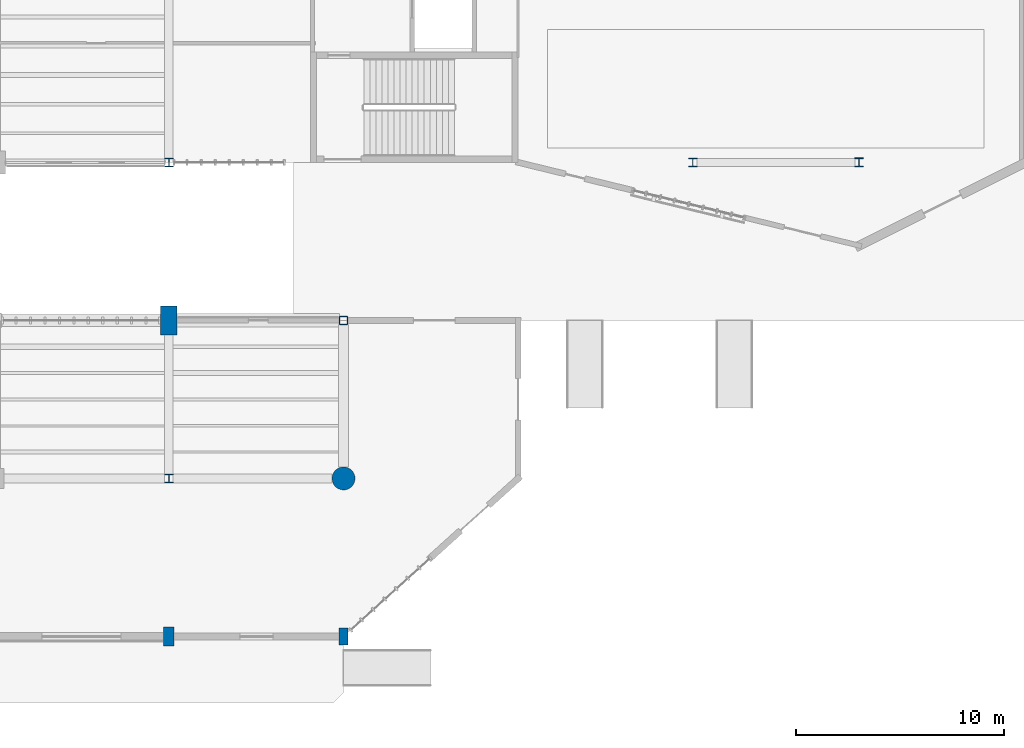
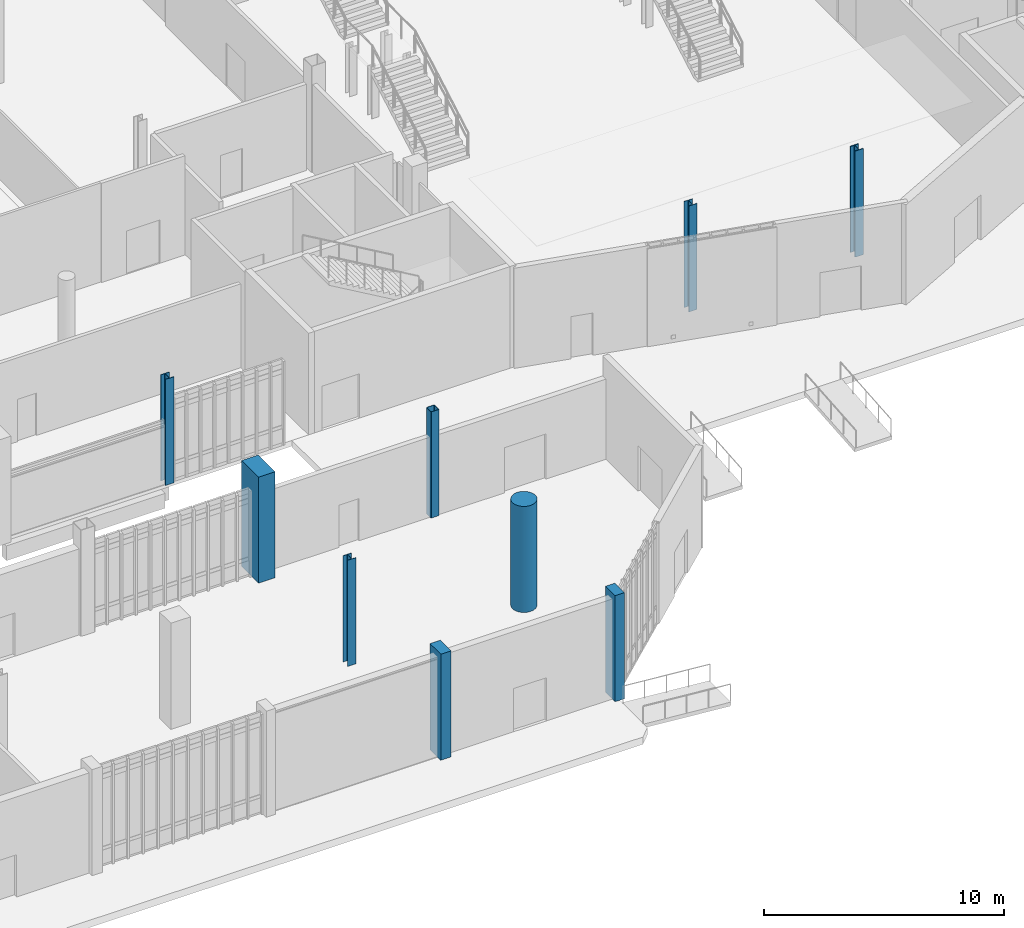
# One storey, part 4 of 111: 9 columns.
"""IFC4 building model written with IfcOpenShell, lengths in metres."""

import ifcopenshell
import ifcopenshell.guid

model = None  # the IFC model being written
_history = None  # IfcOwnerHistory: only IFC2X3 demands one
_inside = {}  # id of a spatial element -> (the spatial element, [elements in it])
_under = {}  # id of a project, library or spatial element -> (it, [spatial elements below it])
_declared = {}  # id of a project -> (the project, [libraries it declares])
_typed = {}  # id of a type object -> (the type object, [elements of that type])
_made_of = {}  # id of a material, layer set ... -> (it, [elements and type objects made of it])


def new_model(schema):
    """Start an empty IFC model of exactly this schema.

    Asked for "IFC4X3", IfcOpenShell would pick the latest addendum, in which some entities
    have other attributes; the version numbers below select the first issue.
    IFC2X3 requires an IfcOwnerHistory on every rooted entity: one is made here for all.
    """
    global model, _history
    if schema == "IFC4X3":
        model = ifcopenshell.file(schema_version=(4, 3, 0, 0))
    else:
        model = ifcopenshell.file(schema=schema)
    _inside.clear()
    _under.clear()
    _declared.clear()
    _typed.clear()
    _made_of.clear()
    _history = None
    if model.schema == "IFC2X3":
        org = make("IfcOrganization", Name="unknown")
        user = make(
            "IfcPersonAndOrganization",
            ThePerson=make("IfcPerson", FamilyName="unknown"),
            TheOrganization=org,
        )
        app = make(
            "IfcApplication",
            ApplicationDeveloper=org,
            Version="unknown",
            ApplicationFullName="unknown",
            ApplicationIdentifier="unknown",
        )
        _history = make(
            "IfcOwnerHistory",
            OwningUser=user,
            OwningApplication=app,
            ChangeAction="ADDED",
            CreationDate=0,
        )
    return model


def make(cls, **values):
    """One entity of the class cls with the attributes given. An attribute that is None is left unset."""
    return model.create_entity(
        cls, **{name: value for name, value in values.items() if value is not None}
    )


def rooted(cls, **values):
    """An entity with a GlobalId (a new one), such as an element, a storey or a relation."""
    return make(cls, GlobalId=ifcopenshell.guid.new(), OwnerHistory=_history, **values)


def si_unit(unit_type, name, prefix=None):
    """IfcSIUnit, for example si_unit("LENGTHUNIT", "METRE", prefix="MILLI")."""
    return make("IfcSIUnit", UnitType=unit_type, Prefix=prefix, Name=name)


def assignment(units):
    """IfcUnitAssignment: the units of a project."""
    return None if units is None else make("IfcUnitAssignment", Units=units)


def point(xyz):
    """IfcCartesianPoint."""
    return None if xyz is None else make("IfcCartesianPoint", Coordinates=xyz)


def direction(xyz):
    """IfcDirection."""
    return None if xyz is None else make("IfcDirection", DirectionRatios=xyz)


def frame(location, z_axis=None, x_axis=None):
    """IfcAxis2Placement3D, a coordinate frame: its origin and axes. An axis left out is left unset."""
    return make(
        "IfcAxis2Placement3D",
        Location=point(location),
        Axis=direction(z_axis),
        RefDirection=direction(x_axis),
    )


def frame_2d(location, x_axis=None):
    """IfcAxis2Placement2D, a coordinate frame in the plane: its origin and x axis."""
    return make(
        "IfcAxis2Placement2D", Location=point(location), RefDirection=direction(x_axis)
    )


def origin():
    """The frame at (0, 0, 0) with its axes left unset."""
    return frame((0.0, 0.0, 0.0))


def origin_2d():
    """The frame at (0, 0) in the plane with its x axis left unset."""
    return frame_2d((0.0, 0.0))


def place(relative_to, where):
    """IfcLocalPlacement: puts the frame where relative to a parent placement (None: the world)."""
    return make(
        "IfcLocalPlacement", PlacementRelTo=relative_to, RelativePlacement=where
    )


def context(
    kind, dimensions, precision=None, world=None, true_north=None, identifier=None
):
    """IfcGeometricRepresentationContext, for example the 3D "Model" context."""
    return make(
        "IfcGeometricRepresentationContext",
        ContextIdentifier=identifier,
        ContextType=kind,
        CoordinateSpaceDimension=dimensions,
        Precision=precision,
        WorldCoordinateSystem=world,
        TrueNorth=true_north,
    )


def subcontext(parent, identifier, kind, view, scale=None):
    """IfcGeometricRepresentationSubContext, for example "Body" below "Model"."""
    return make(
        "IfcGeometricRepresentationSubContext",
        ContextIdentifier=identifier,
        ContextType=kind,
        ParentContext=parent,
        TargetScale=scale,
        TargetView=view,
    )


def project(units=None, contexts=None):
    """IfcProject with its units and contexts."""
    return rooted(
        "IfcProject",
        Name="project",
        RepresentationContexts=contexts,
        UnitsInContext=assignment(units),
    )


def spatial(cls, under=None, at=None, **own):
    """A site, building, storey or space (cls), placed at a placement, below another one or the project."""
    s = rooted(cls, ObjectPlacement=at, **own)
    if under is not None:
        _under.setdefault(under.id(), (under, []))[1].append(s)
    return s


def profile(cls, at=None, kind="AREA", **sizes):
    """A parametric profile (cls). Its sizes go by their IFC names, for example OverallWidth=200.0."""
    return make(cls, ProfileType=kind, Position=at, **sizes)


def rectangle(**sizes):
    """IfcRectangleProfileDef."""
    return profile("IfcRectangleProfileDef", **sizes)


def hollow_rectangle(**sizes):
    """IfcRectangleHollowProfileDef."""
    return profile("IfcRectangleHollowProfileDef", **sizes)


def circle(**sizes):
    """IfcCircleProfileDef."""
    return profile("IfcCircleProfileDef", **sizes)


def i_section(**sizes):
    """IfcIShapeProfileDef."""
    return profile("IfcIShapeProfileDef", **sizes)


def extrude(swept, where, along, depth):
    """IfcExtrudedAreaSolid: the profile swept, set in the frame where, extruded along a direction by depth."""
    return make(
        "IfcExtrudedAreaSolid",
        SweptArea=swept,
        Position=where,
        ExtrudedDirection=direction(along),
        Depth=depth,
    )


def shape(context_of_items, identifier, shape_type, items):
    """IfcShapeRepresentation: the items that make up one representation, for example the "Body"."""
    return make(
        "IfcShapeRepresentation",
        ContextOfItems=context_of_items,
        RepresentationIdentifier=identifier,
        RepresentationType=shape_type,
        Items=items,
    )


def material(Name=None, Category=None):
    """IfcMaterial."""
    return make("IfcMaterial", Name=Name, Category=Category)


def material_profile(
    of_material, cross_section, Name=None, Category=None, Priority=None
):
    """IfcMaterialProfile: a cross section and its material."""
    return make(
        "IfcMaterialProfile",
        Name=Name,
        Material=of_material,
        Profile=cross_section,
        Priority=Priority,
        Category=Category,
    )


def profile_set(profiles, Name=None, composite=None):
    """IfcMaterialProfileSet."""
    return make(
        "IfcMaterialProfileSet",
        Name=Name,
        MaterialProfiles=profiles,
        CompositeProfile=composite,
    )


def made_of(thing, what):
    """Note that an element or type object is made of a material, layer set ...; save() writes the relation."""
    if what is not None:
        _made_of.setdefault(what.id(), (what, []))[1].append(thing)
    return thing


def type_object(cls, material=None, **own):
    """A type object (cls), such as IfcWallType, which elements share."""
    return made_of(rooted(cls, **own), material)


def element(
    cls,
    number,
    at=None,
    inside=None,
    cuts=None,
    type_object=None,
    material=None,
    context=None,
    identifier="Body",
    shape_type=None,
    held_by="IfcProductDefinitionShape",
    body=None,
    shapes=None,
    **own,
):
    """One element of the class cls, such as IfcWall. Its Tag is "e" and its number.

    at: its placement. inside: the storey or other place that contains it. cuts: it is an
    opening in that element (IfcRelVoidsElement). A single representation is given by context,
    identifier, shape_type and body (its items); several are given by shapes. held_by: the class
    of the entity that holds the representations. save() writes the other relations.
    """
    e = rooted(cls, Tag="e%d" % number, ObjectPlacement=at, **own)
    if body is not None:
        shapes = [shape(context, identifier, shape_type, body)]
    if shapes is not None:
        e.Representation = make(held_by, Representations=shapes)
    if inside is not None:
        _inside.setdefault(inside.id(), (inside, []))[1].append(e)
    if cuts is not None:
        rooted(
            "IfcRelVoidsElement", RelatingBuildingElement=cuts, RelatedOpeningElement=e
        )
    if type_object is not None:
        _typed.setdefault(type_object.id(), (type_object, []))[1].append(e)
    return made_of(e, material)


def aggregate(whole, parts):
    """IfcRelAggregates: a whole, such as a stair, and the parts it consists of."""
    return rooted("IfcRelAggregates", RelatingObject=whole, RelatedObjects=parts)


def save(model, path):
    """Write the relations noted so far, then the file.

    IfcRelAggregates (storeys below a building ...), IfcRelContainedInSpatialStructure (elements
    in a storey), IfcRelDefinesByType, IfcRelAssociatesMaterial and IfcRelDeclares: one each for
    every whole, place, type object, material and project.
    """
    for whole, parts in _under.values():
        aggregate(whole, parts)
    for where, things in _inside.values():
        rooted(
            "IfcRelContainedInSpatialStructure",
            RelatedElements=things,
            RelatingStructure=where,
        )
    for kind, things in _typed.values():
        rooted("IfcRelDefinesByType", RelatedObjects=things, RelatingType=kind)
    for what, things in _made_of.values():
        rooted("IfcRelAssociatesMaterial", RelatedObjects=things, RelatingMaterial=what)
    for by, libraries in _declared.values():
        rooted("IfcRelDeclares", RelatingContext=by, RelatedDefinitions=libraries)
    model.write(path)


model = new_model("IFC4")

# Units and contexts
model_context = context("Model", 3, precision=1e-05, world=origin(), true_north=direction((0.0, 1.0)))
body_context = subcontext(model_context, "Body", "Model", "MODEL_VIEW")
ifc_project = project(units=[si_unit("LENGTHUNIT", "METRE"), si_unit("AREAUNIT", "SQUARE_METRE"), si_unit("VOLUMEUNIT", "CUBIC_METRE"), si_unit("PLANEANGLEUNIT", "RADIAN"), si_unit("MASSUNIT", "GRAM", prefix="KILO")], contexts=[model_context])

# Site, building, storey
site_placement = place(None, origin())
site = spatial("IfcSite", under=ifc_project, at=site_placement, CompositionType="ELEMENT")
building_placement = place(site_placement, origin())
building = spatial("IfcBuilding", under=site, at=building_placement, Name="Larkvane Passage Sports Hall", CompositionType="ELEMENT")
storey_placement = place(building_placement, origin())
storey = spatial("IfcBuildingStorey", under=building, at=storey_placement, Name="L00", CompositionType="ELEMENT", Elevation=0.0)

# Columns
ifc_material_1 = material(Name="Concrete C50/60", Category="concrete")
ifc_material_profile_1 = material_profile(ifc_material_1, circle(Radius=0.550048828125, at=origin_2d()), Name="RC-CIR-1100")
ifc_profile_set_1 = profile_set([ifc_material_profile_1], Name="Concrete C50/60")
column_type_1 = type_object("IfcColumnType", Name="COL-CIR-1100", PredefinedType="COLUMN", material=ifc_profile_set_1)
column_1_placement = place(storey_placement, frame((85.199951171875, 7.60009765625, 0.0), z_axis=(0.0, 0.0, 1.0), x_axis=(1.0, 0.0, 0.0)))
element("IfcColumn", 1, at=column_1_placement, inside=storey, type_object=column_type_1, Name="Column 12/B L00", PredefinedType="COLUMN", context=body_context, shape_type="SweptSolid", body=[
    extrude(circle(Radius=0.550048828125, at=origin_2d()), origin(), (0.0, 0.0, 1.0), 5.39990234375),
])
ifc_material_profile_2 = material_profile(ifc_material_1, rectangle(XDim=0.800048828125, YDim=1.39990234375, at=origin_2d()), Name="RC-COL-800x1400")
ifc_profile_set_2 = profile_set([ifc_material_profile_2], Name="Concrete C50/60")
column_type_2 = type_object("IfcColumnType", Name="COL-RC-800x1400", PredefinedType="COLUMN", material=ifc_profile_set_2)
column_2_placement = place(storey_placement, frame((76.800048828125, 15.199951171875, 0.0), z_axis=(0.0, 0.0, 1.0), x_axis=(1.0, 0.0, 0.0)))
element("IfcColumn", 2, at=column_2_placement, inside=storey, type_object=column_type_2, Name="Column 11/C L00", PredefinedType="COLUMN", context=body_context, shape_type="SweptSolid", body=[
    extrude(rectangle(XDim=0.800048828125, YDim=1.39990234375, at=origin_2d()), origin(), (0.0, 0.0, 1.0), 5.39990234375),
])
ifc_material_2 = material(Name="Steel S355JR", Category="steel")
ifc_material_profile_3 = material_profile(ifc_material_2, i_section(OverallWidth=0.39990234375, OverallDepth=0.39990234375, WebThickness=0.012939453125, FlangeThickness=0.02099609375, FilletRadius=0.02197265625, at=origin_2d()), Name="H-400x400x13x21")
ifc_profile_set_3 = profile_set([ifc_material_profile_3], Name="Steel S355JR")
column_type_3 = type_object("IfcColumnType", Name="COL-STL-H400", PredefinedType="COLUMN", material=ifc_profile_set_3)
for number, where, z_axis, x_axis, name in (
    (3, (76.800048828125, 7.60009765625, 0.0), (0.0, 0.0, 1.0), (1.0, 0.0, 0.0), "Column 11/B L00"),
    (4, (102.0, 22.800048828125, 0.0), (0.0, 0.0, 1.0), (1.0, 0.0, 0.0), "Column 14/D L00"),
):
    element("IfcColumn", number, at=place(storey_placement, frame(where, z_axis=z_axis, x_axis=x_axis)), inside=storey, type_object=column_type_3, Name=name, PredefinedType="COLUMN", context=body_context, shape_type="SweptSolid", body=[
        extrude(i_section(OverallWidth=0.39990234375, OverallDepth=0.39990234375, WebThickness=0.012939453125, FlangeThickness=0.02099609375, FilletRadius=0.02197265625, at=origin_2d()), origin(), (0.0, 0.0, 1.0), 5.39990234375),
    ])
ifc_material_3 = material(Name="Steel S460N", Category="steel")
ifc_material_profile_4 = material_profile(ifc_material_3, i_section(OverallWidth=0.405029296875, OverallDepth=0.4140625, WebThickness=0.01806640625, FlangeThickness=0.028076171875, FilletRadius=0.02197265625, at=origin_2d()), Name="H-414x405x18x28")
ifc_profile_set_4 = profile_set([ifc_material_profile_4], Name="Steel S460N")
column_type_4 = type_object("IfcColumnType", Name="COL-STL-H414", PredefinedType="COLUMN", material=ifc_profile_set_4)
column_3_placement = place(storey_placement, frame((76.800048828125, 22.800048828125, 0.0), z_axis=(0.0, 0.0, 1.0), x_axis=(1.0, 0.0, 0.0)))
element("IfcColumn", 5, at=column_3_placement, inside=storey, type_object=column_type_4, Name="Column 11/D L00", PredefinedType="COLUMN", context=body_context, shape_type="SweptSolid", body=[
    extrude(i_section(OverallWidth=0.405029296875, OverallDepth=0.4140625, WebThickness=0.01806640625, FlangeThickness=0.028076171875, FilletRadius=0.02197265625, at=origin_2d()), origin(), (0.0, 0.0, 1.0), 5.39990234375),
])
ifc_material_profile_5 = material_profile(ifc_material_3, i_section(OverallWidth=0.406982421875, OverallDepth=0.427978515625, WebThickness=0.02001953125, FlangeThickness=0.034912109375, FilletRadius=0.02197265625, at=origin_2d()), Name="H-428x407x20x35")
ifc_profile_set_5 = profile_set([ifc_material_profile_5], Name="Steel S460N")
column_type_5 = type_object("IfcColumnType", Name="COL-STL-H428", PredefinedType="COLUMN", material=ifc_profile_set_5)
column_4_placement = place(storey_placement, frame((110.0, 22.800048828125, 0.0), z_axis=(0.0, 0.0, 1.0), x_axis=(1.0, 0.0, 0.0)))
element("IfcColumn", 6, at=column_4_placement, inside=storey, type_object=column_type_5, Name="Column 15/D L00", PredefinedType="COLUMN", context=body_context, shape_type="SweptSolid", body=[
    extrude(i_section(OverallWidth=0.406982421875, OverallDepth=0.427978515625, WebThickness=0.02001953125, FlangeThickness=0.034912109375, FilletRadius=0.02197265625, at=origin_2d()), origin(), (0.0, 0.0, 1.0), 5.39990234375),
])
ifc_material_profile_6 = material_profile(ifc_material_3, hollow_rectangle(XDim=0.39990234375, YDim=0.39990234375, WallThickness=0.01904296875, InnerFilletRadius=0.01904296875, OuterFilletRadius=0.0380859375, at=origin_2d()), Name="SHS-400x400x19")
ifc_profile_set_6 = profile_set([ifc_material_profile_6], Name="Steel S460N")
column_type_6 = type_object("IfcColumnType", Name="COL-STL-SHS400", PredefinedType="COLUMN", material=ifc_profile_set_6)
column_5_placement = place(storey_placement, frame((85.199951171875, 15.199951171875, 0.0), z_axis=(0.0, 0.0, 1.0), x_axis=(1.0, 0.0, 0.0)))
element("IfcColumn", 7, at=column_5_placement, inside=storey, type_object=column_type_6, Name="Column 12/C L00", PredefinedType="COLUMN", context=body_context, shape_type="SweptSolid", body=[
    extrude(hollow_rectangle(XDim=0.39990234375, YDim=0.39990234375, WallThickness=0.01904296875, InnerFilletRadius=0.01904296875, OuterFilletRadius=0.0380859375, at=origin_2d()), origin(), (0.0, 0.0, 1.0), 5.39990234375),
])
ifc_material_4 = material(Name="Concrete C40/50", Category="concrete")
ifc_material_profile_7 = material_profile(ifc_material_4, rectangle(XDim=0.449951171875, YDim=0.800048828125, at=origin_2d()), Name="RC-PIL-450x800")
ifc_profile_set_7 = profile_set([ifc_material_profile_7], Name="Concrete C40/50")
column_type_7 = type_object("IfcColumnType", Name="PIL-RC-450x800", PredefinedType="PILASTER", material=ifc_profile_set_7)
column_6_placement = place(storey_placement, frame((85.199951171875, 0.0, 0.0), z_axis=(0.0, 0.0, 1.0), x_axis=(1.0, 0.0, 0.0)))
element("IfcColumn", 8, at=column_6_placement, inside=storey, type_object=column_type_7, Name="Arcade pilaster 12/A L00", PredefinedType="PILASTER", context=body_context, shape_type="SweptSolid", body=[
    extrude(rectangle(XDim=0.449951171875, YDim=0.800048828125, at=origin_2d()), origin(), (0.0, 0.0, 1.0), 5.39990234375),
])
ifc_material_profile_8 = material_profile(ifc_material_4, rectangle(XDim=0.5, YDim=0.89990234375, at=origin_2d()), Name="RC-PIL-500x900")
ifc_profile_set_8 = profile_set([ifc_material_profile_8], Name="Concrete C40/50")
column_type_8 = type_object("IfcColumnType", Name="PIL-RC-500x900", PredefinedType="PILASTER", material=ifc_profile_set_8)
column_7_placement = place(storey_placement, frame((76.800048828125, 0.0, 0.0), z_axis=(0.0, 0.0, 1.0), x_axis=(1.0, 0.0, 0.0)))
element("IfcColumn", 9, at=column_7_placement, inside=storey, type_object=column_type_8, Name="Arcade pilaster 11/A L00", PredefinedType="PILASTER", context=body_context, shape_type="SweptSolid", body=[
    extrude(rectangle(XDim=0.5, YDim=0.89990234375, at=origin_2d()), origin(), (0.0, 0.0, 1.0), 5.39990234375),
])

save(model, "model.ifc")
